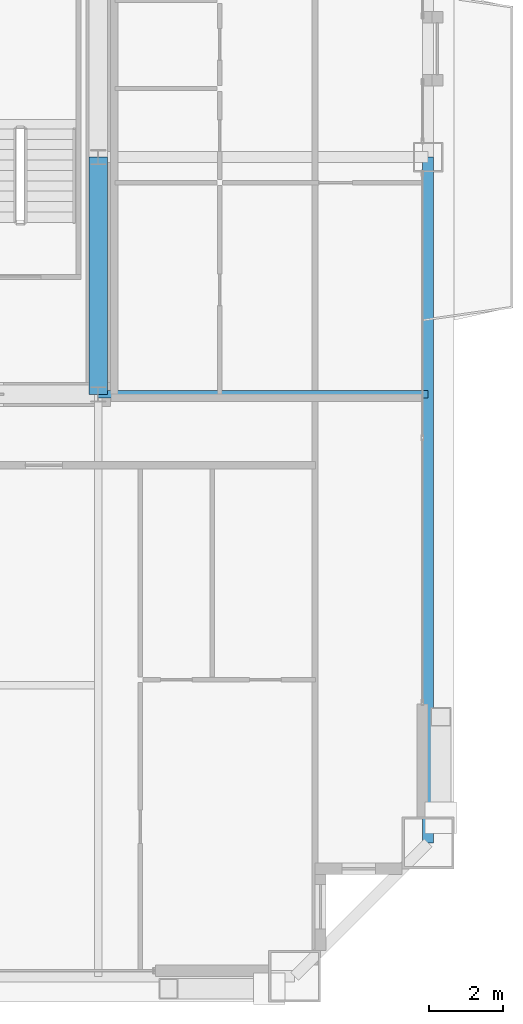
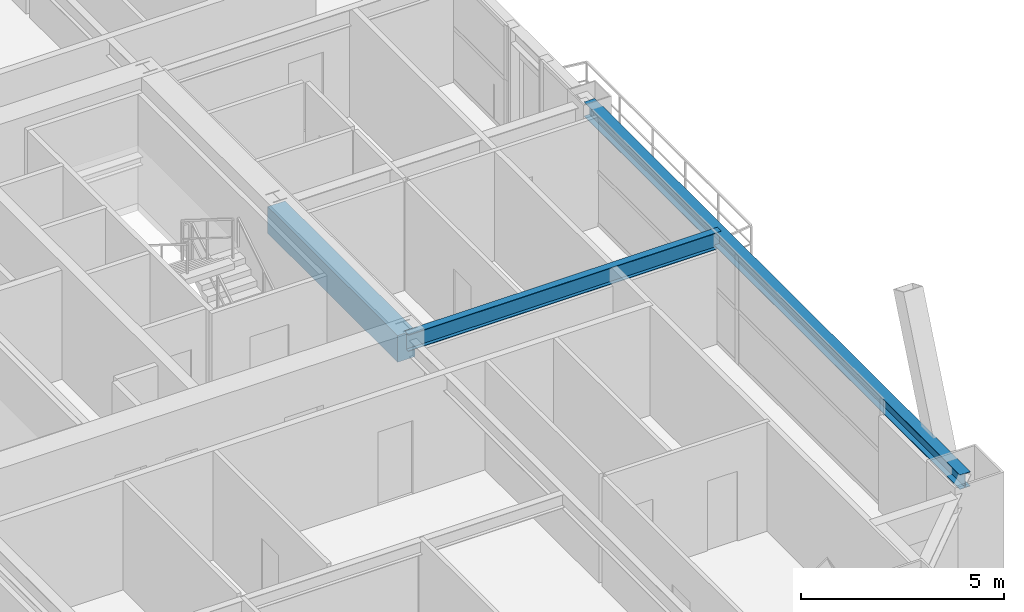
# One storey, part 23 of 45: 3 beams.
"""IFC4 building model written with IfcOpenShell, lengths in metres."""

from ifc_helpers import new_model, si_unit, direction, frame, origin, origin_2d, place, context, subcontext, project, spatial, rectangle, i_section, extrude, source, transform, mapped, material, material_profile, profile_set, type_object, element, save


model = new_model("IFC4")

# Units and contexts
model_context = context("Model", 3, precision=1e-05, world=origin(), true_north=direction((0.0, 1.0)))
body_context = subcontext(model_context, "Body", "Model", "MODEL_VIEW")
ifc_project = project(units=[si_unit("LENGTHUNIT", "METRE"), si_unit("AREAUNIT", "SQUARE_METRE"), si_unit("VOLUMEUNIT", "CUBIC_METRE"), si_unit("PLANEANGLEUNIT", "RADIAN"), si_unit("MASSUNIT", "GRAM", prefix="KILO"), si_unit("THERMODYNAMICTEMPERATUREUNIT", "KELVIN"), si_unit("POWERUNIT", "WATT")], contexts=[model_context])

# Site, building, storey
site_placement = place(None, origin())
site = spatial("IfcSite", under=ifc_project, at=site_placement, CompositionType="ELEMENT")
building_placement = place(site_placement, origin())
building = spatial("IfcBuilding", under=site, at=building_placement, Name="Yuzanri Waterfront Tower", CompositionType="ELEMENT")
storey_placement = place(building_placement, frame((0.0, 0.0, 191.5)))
storey = spatial("IfcBuildingStorey", under=building, at=storey_placement, Name="L50", CompositionType="ELEMENT", Elevation=191.5)

# Beams
ifc_material_1 = material(Name="Steel Q355B", Category="steel")
ifc_material_profile_1 = material_profile(ifc_material_1, i_section(OverallWidth=0.300048828125, OverallDepth=0.43994140625, WebThickness=0.010986328125, FlangeThickness=0.01806640625, at=origin_2d()), Name="HM 440x300x11x18")
ifc_profile_set_1 = profile_set([ifc_material_profile_1], Name="Steel Q355B")
beam_type_1 = type_object("IfcBeamType", Name="Perimeter Spandrel Q355B HM 440x300", PredefinedType="SPANDREL", material=ifc_profile_set_1)
shared_shape_1 = source(origin(), body_context, "Body", "SweptSolid", [
    extrude(i_section(OverallWidth=0.300048828125, OverallDepth=0.43994140625, WebThickness=0.010986328125, FlangeThickness=0.01806640625, at=origin_2d()), origin(), (0.0, 0.0, 1.0), 18.5),
])
beam_1_placement = place(storey_placement, frame((59.10009765625, 7.300048828125, 3.06005859375), z_axis=(0.0, 1.0, 0.0), x_axis=(-1.0, 0.0, 0.0)))
element("IfcBeam", 1, at=beam_1_placement, inside=storey, type_object=beam_type_1, Name="L50 Perimeter Spandrel E1-E2", PredefinedType="SPANDREL", context=body_context, shape_type="MappedRepresentation", body=[
    mapped(shared_shape_1, transform((0.0, 0.0, 0.0), scale=1.0)),
])
ifc_material_2 = material(Name="Steel Q355B", Category="steel")
ifc_material_profile_2 = material_profile(ifc_material_2, i_section(OverallWidth=0.199951171875, OverallDepth=0.5, WebThickness=0.010009765625, FlangeThickness=0.01611328125, at=origin_2d()), Name="HN 500x200x10x16")
ifc_profile_set_2 = profile_set([ifc_material_profile_2], Name="Steel Q355B")
beam_type_2 = type_object("IfcBeamType", Name="Secondary Floor Beam Q355B HN 500x200", PredefinedType="BEAM", material=ifc_profile_set_2)
shared_shape_2 = source(origin(), body_context, "Body", "SweptSolid", [
    extrude(i_section(OverallWidth=0.199951171875, OverallDepth=0.5, WebThickness=0.010009765625, FlangeThickness=0.01611328125, at=origin_2d()), origin(), (0.0, 0.0, 1.0), 8.900146484375),
])
beam_2_placement = place(storey_placement, frame((50.199951171875, 19.39990234375, 3.030029296875), z_axis=(1.0, 0.0, 0.0), x_axis=(0.0, 1.0, 0.0)))
element("IfcBeam", 2, at=beam_2_placement, inside=storey, type_object=beam_type_2, Name="L50 East-South Core Line Beam", PredefinedType="BEAM", context=body_context, shape_type="MappedRepresentation", body=[
    mapped(shared_shape_2, transform((0.0, 0.0, 0.0), scale=1.0)),
])
ifc_material_3 = material(Name="Concrete C50", Category="concrete")
ifc_material_profile_3 = material_profile(ifc_material_3, rectangle(XDim=0.5, YDim=0.800048828125, at=origin_2d()), Name="RC 500x800")
ifc_profile_set_3 = profile_set([ifc_material_profile_3], Name="Concrete C50")
beam_type_3 = type_object("IfcBeamType", Name="Core Coupling Lintel Concrete C50 500x800", PredefinedType="LINTEL", material=ifc_profile_set_3)
shared_shape_3 = source(origin(), body_context, "Body", "SweptSolid", [
    extrude(rectangle(XDim=0.5, YDim=0.800048828125, at=origin_2d()), origin(), (0.0, 0.0, 1.0), 6.400146484375),
])
beam_3_placement = place(storey_placement, frame((50.199951171875, 19.39990234375, 2.8798828125), z_axis=(0.0, 1.0, 0.0), x_axis=(-1.0, 0.0, 0.0)))
element("IfcBeam", 3, at=beam_3_placement, inside=storey, type_object=beam_type_3, Name="L50 Core Tie Beam CE1", PredefinedType="LINTEL", context=body_context, shape_type="MappedRepresentation", body=[
    mapped(shared_shape_3, transform((0.0, 0.0, 0.0), scale=1.0)),
])

save(model, "model.ifc")
